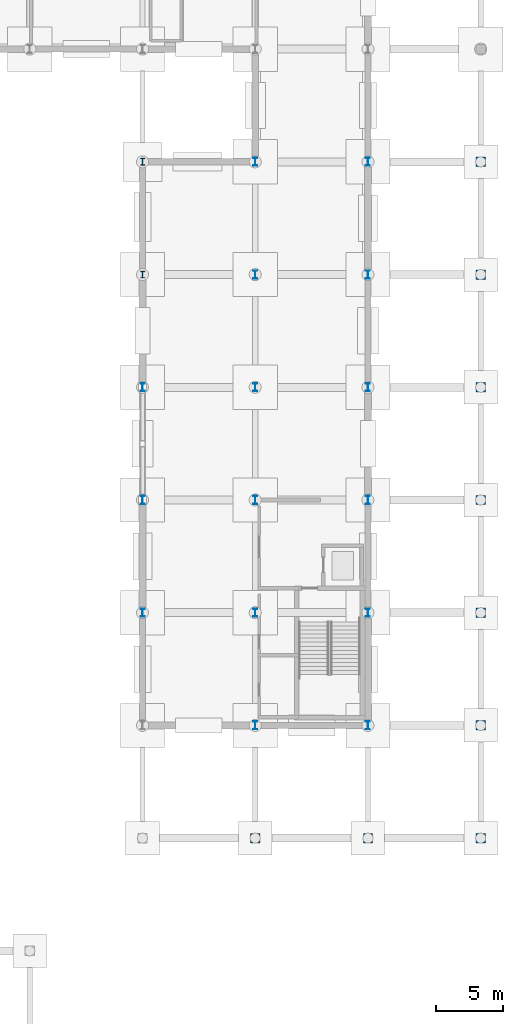
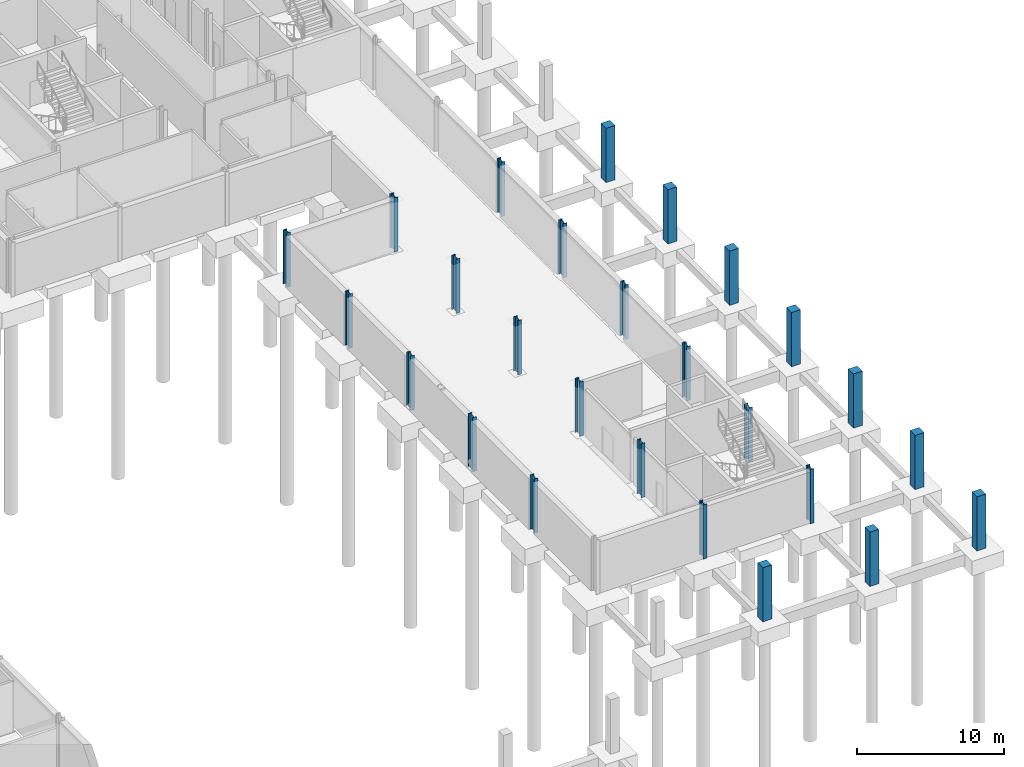
# One storey, part 21 of 43: 26 columns.
"""IFC4 building model written with IfcOpenShell, lengths in metres."""

from ifc_helpers import new_model, si_unit, direction, frame, origin, origin_2d, place, context, subcontext, project, spatial, rectangle, i_section, extrude, material, material_profile, profile_set, type_object, element, save


model = new_model("IFC4")

# Units and contexts
model_context = context("Model", 3, precision=1e-05, world=origin(), true_north=direction((0.0, 1.0)))
body_context = subcontext(model_context, "Body", "Model", "MODEL_VIEW")
ifc_project = project(units=[si_unit("LENGTHUNIT", "METRE"), si_unit("AREAUNIT", "SQUARE_METRE"), si_unit("VOLUMEUNIT", "CUBIC_METRE"), si_unit("PLANEANGLEUNIT", "RADIAN"), si_unit("MASSUNIT", "GRAM", prefix="KILO")], contexts=[model_context])

# Site, building, storey
site_placement = place(None, origin())
site = spatial("IfcSite", under=ifc_project, at=site_placement, CompositionType="ELEMENT")
building_placement = place(site_placement, origin())
building = spatial("IfcBuilding", under=site, at=building_placement, Name="Mersafa Astral City Hall", CompositionType="ELEMENT")
storey_placement = place(building_placement, frame((0.0, 0.0, -4.5)))
storey = spatial("IfcBuildingStorey", under=building, at=storey_placement, Name="B1", CompositionType="ELEMENT", Elevation=-4.5)

# Columns
ifc_material_1 = material(Name="Steel S355", Category="steel")
ifc_material_profile_1 = material_profile(ifc_material_1, i_section(OverallWidth=0.300048828125, OverallDepth=0.5, WebThickness=0.014404296875, FlangeThickness=0.028076171875, FilletRadius=0.027099609375, at=origin_2d()), Name="HEB 500")
ifc_profile_set_1 = profile_set([ifc_material_profile_1], Name="Steel S355")
column_type_1 = type_object("IfcColumnType", Name="STR-COL-HEB500", PredefinedType="COLUMN", material=ifc_profile_set_1)
for number, where, z_axis, x_axis, name in (
    (1, (159.60009765625, 84.0, 0.0), (0.0, 0.0, 1.0), (1.0, 0.0, 0.0), "B1 Structural column G-19-10"),
    (2, (159.60009765625, 92.39990234375, 0.0), (0.0, 0.0, 1.0), (1.0, 0.0, 0.0), "B1 Structural column G-19-11"),
):
    element("IfcColumn", number, at=place(storey_placement, frame(where, z_axis=z_axis, x_axis=x_axis)), inside=storey, type_object=column_type_1, Name=name, PredefinedType="COLUMN", context=body_context, shape_type="SweptSolid", body=[
        extrude(i_section(OverallWidth=0.300048828125, OverallDepth=0.5, WebThickness=0.014404296875, FlangeThickness=0.028076171875, FilletRadius=0.027099609375, at=origin_2d()), origin(), (0.0, 0.0, 1.0), 4.5),
    ])
ifc_material_profile_2 = material_profile(ifc_material_1, i_section(OverallWidth=0.300048828125, OverallDepth=0.60009765625, WebThickness=0.015380859375, FlangeThickness=0.030029296875, FilletRadius=0.027099609375, at=origin_2d()), Name="HEB 600")
ifc_profile_set_2 = profile_set([ifc_material_profile_2], Name="Steel S355")
column_type_2 = type_object("IfcColumnType", Name="STR-COL-HEB600", PredefinedType="COLUMN", material=ifc_profile_set_2)
for number, where, z_axis, x_axis, name in (
    (3, (159.60009765625, 58.800048828125, 0.0), (0.0, 0.0, 1.0), (1.0, 0.0, 0.0), "B1 Structural column G-19-07"),
    (4, (159.60009765625, 67.199951171875, 0.0), (0.0, 0.0, 1.0), (1.0, 0.0, 0.0), "B1 Structural column G-19-08"),
    (5, (159.60009765625, 75.60009765625, 0.0), (0.0, 0.0, 1.0), (1.0, 0.0, 0.0), "B1 Structural column G-19-09"),
    (6, (168.0, 50.39990234375, 0.0), (0.0, 0.0, 1.0), (1.0, 0.0, 0.0), "B1 Structural column G-20-06"),
    (7, (168.0, 58.800048828125, 0.0), (0.0, 0.0, 1.0), (1.0, 0.0, 0.0), "B1 Structural column G-20-07"),
    (8, (168.0, 67.199951171875, 0.0), (0.0, 0.0, 1.0), (1.0, 0.0, 0.0), "B1 Structural column G-20-08"),
    (9, (168.0, 75.60009765625, 0.0), (0.0, 0.0, 1.0), (1.0, 0.0, 0.0), "B1 Structural column G-20-09"),
    (10, (168.0, 84.0, 0.0), (0.0, 0.0, 1.0), (1.0, 0.0, 0.0), "B1 Structural column G-20-10"),
    (11, (168.0, 92.39990234375, 0.0), (0.0, 0.0, 1.0), (1.0, 0.0, 0.0), "B1 Structural column G-20-11"),
    (12, (176.39990234375, 50.39990234375, 0.0), (0.0, 0.0, 1.0), (1.0, 0.0, 0.0), "B1 Structural column G-21-06"),
    (13, (176.39990234375, 58.800048828125, 0.0), (0.0, 0.0, 1.0), (1.0, 0.0, 0.0), "B1 Structural column G-21-07"),
    (14, (176.39990234375, 67.199951171875, 0.0), (0.0, 0.0, 1.0), (1.0, 0.0, 0.0), "B1 Structural column G-21-08"),
    (15, (176.39990234375, 75.60009765625, 0.0), (0.0, 0.0, 1.0), (1.0, 0.0, 0.0), "B1 Structural column G-21-09"),
    (16, (176.39990234375, 84.0, 0.0), (0.0, 0.0, 1.0), (1.0, 0.0, 0.0), "B1 Structural column G-21-10"),
    (17, (176.39990234375, 92.39990234375, 0.0), (0.0, 0.0, 1.0), (1.0, 0.0, 0.0), "B1 Structural column G-21-11"),
):
    element("IfcColumn", number, at=place(storey_placement, frame(where, z_axis=z_axis, x_axis=x_axis)), inside=storey, type_object=column_type_2, Name=name, PredefinedType="COLUMN", context=body_context, shape_type="SweptSolid", body=[
        extrude(i_section(OverallWidth=0.300048828125, OverallDepth=0.60009765625, WebThickness=0.015380859375, FlangeThickness=0.030029296875, FilletRadius=0.027099609375, at=origin_2d()), origin(), (0.0, 0.0, 1.0), 4.5),
    ])
ifc_material_2 = material(Name="Concrete C40/50", Category="concrete")
ifc_material_profile_3 = material_profile(ifc_material_2, rectangle(XDim=0.699951171875, YDim=0.699951171875, at=origin_2d()), Name="RC 700x700")
ifc_profile_set_3 = profile_set([ifc_material_profile_3], Name="Concrete C40/50")
column_type_3 = type_object("IfcColumnType", Name="STR-COL-RC700", PredefinedType="COLUMN", material=ifc_profile_set_3)
for number, where, z_axis, x_axis, name in (
    (18, (168.0, 42.0, 0.0), (0.0, 0.0, 1.0), (1.0, 0.0, 0.0), "B1 Structural column G-20-05"),
    (19, (176.39990234375, 42.0, 0.0), (0.0, 0.0, 1.0), (1.0, 0.0, 0.0), "B1 Structural column G-21-05"),
    (20, (184.800048828125, 42.0, 0.0), (0.0, 0.0, 1.0), (1.0, 0.0, 0.0), "B1 Structural column G-22-05"),
    (21, (184.800048828125, 50.39990234375, 0.0), (0.0, 0.0, 1.0), (1.0, 0.0, 0.0), "B1 Structural column G-22-06"),
    (22, (184.800048828125, 58.800048828125, 0.0), (0.0, 0.0, 1.0), (1.0, 0.0, 0.0), "B1 Structural column G-22-07"),
    (23, (184.800048828125, 67.199951171875, 0.0), (0.0, 0.0, 1.0), (1.0, 0.0, 0.0), "B1 Structural column G-22-08"),
    (24, (184.800048828125, 75.60009765625, 0.0), (0.0, 0.0, 1.0), (1.0, 0.0, 0.0), "B1 Structural column G-22-09"),
    (25, (184.800048828125, 84.0, 0.0), (0.0, 0.0, 1.0), (1.0, 0.0, 0.0), "B1 Structural column G-22-10"),
    (26, (184.800048828125, 92.39990234375, 0.0), (0.0, 0.0, 1.0), (1.0, 0.0, 0.0), "B1 Structural column G-22-11"),
):
    element("IfcColumn", number, at=place(storey_placement, frame(where, z_axis=z_axis, x_axis=x_axis)), inside=storey, type_object=column_type_3, Name=name, PredefinedType="COLUMN", context=body_context, shape_type="SweptSolid", body=[
        extrude(rectangle(XDim=0.699951171875, YDim=0.699951171875, at=origin_2d()), origin(), (0.0, 0.0, 1.0), 4.5),
    ])

save(model, "model.ifc")
